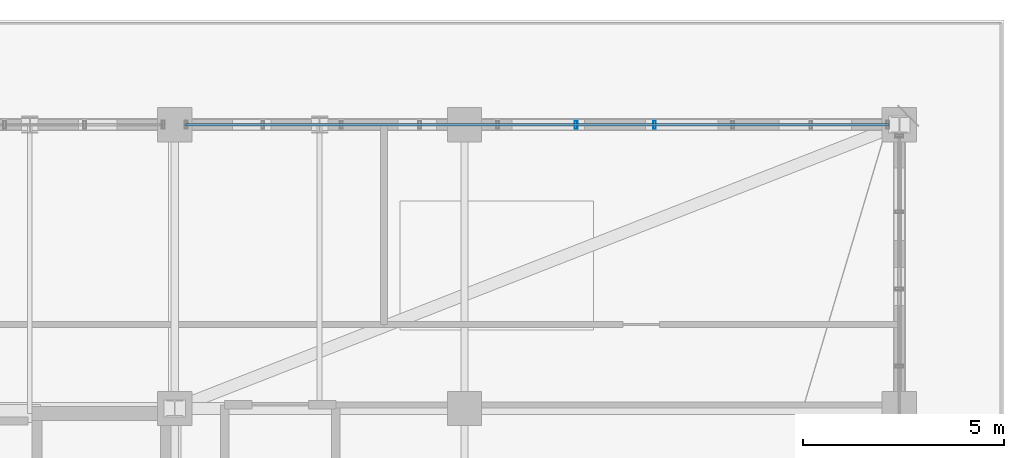
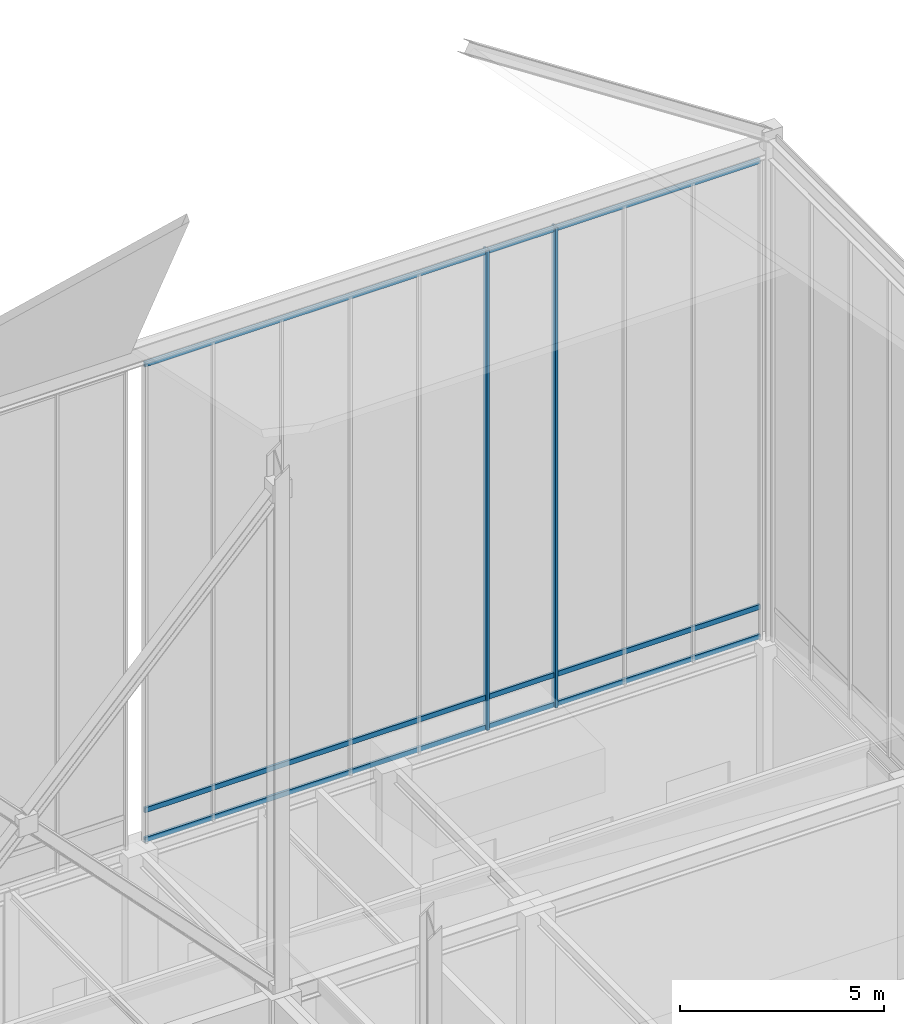
# One storey, part 39 of 49: 5 members, 1 element without a shape of its own.
"""IFC4 building model written with IfcOpenShell, lengths in metres."""

from ifc_helpers import new_model, si_unit, direction, frame, origin, origin_2d, place, context, subcontext, project, spatial, hollow_rectangle, extrude, source, transform, mapped, material, layer, layer_set, material_profile, profile_set, type_object, element, aggregate, save


model = new_model("IFC4")

# Units and contexts
model_context = context("Model", 3, precision=1e-05, world=origin(), true_north=direction((0.0, 1.0)))
body_context = subcontext(model_context, "Body", "Model", "MODEL_VIEW")
ifc_project = project(units=[si_unit("LENGTHUNIT", "METRE"), si_unit("AREAUNIT", "SQUARE_METRE"), si_unit("VOLUMEUNIT", "CUBIC_METRE"), si_unit("PLANEANGLEUNIT", "RADIAN"), si_unit("MASSUNIT", "GRAM", prefix="KILO")], contexts=[model_context])

# Site, building, storey
site_placement = place(None, origin())
site = spatial("IfcSite", under=ifc_project, at=site_placement, CompositionType="ELEMENT")
building_placement = place(site_placement, origin())
building = spatial("IfcBuilding", under=site, at=building_placement, Name="Kaliganga Portal Commons", CompositionType="ELEMENT")
storey_placement = place(building_placement, frame((0.0, 0.0, 298.0)))
storey = spatial("IfcBuildingStorey", under=building, at=storey_placement, Name="L77", CompositionType="ELEMENT", Elevation=298.0)

# Curtain wall, members
ifc_material_1 = material(Name="Anodized Aluminium and Laminated Low-E Glass", Category="aluminium")
ifc_layer = layer(ifc_material_1, 0.25)
ifc_layer_set = layer_set([ifc_layer], Name="Anodized Aluminium and Laminated Low-E Glass")
curtain_wall_type = type_object("IfcCurtainWallType", Name="CW-SYS-06", PredefinedType="NOTDEFINED", material=ifc_layer_set)
curtain_wall_placement = place(storey_placement, origin())
curtain_wall = element("IfcCurtainWall", 1, at=curtain_wall_placement, inside=storey, type_object=curtain_wall_type, Name="CW 06 L77 NE", PredefinedType="NOTDEFINED")
ifc_material_2 = material(Name="Dark Bronze Anodized Aluminium", Category="aluminium")
ifc_material_profile_1 = material_profile(ifc_material_2, hollow_rectangle(XDim=0.070068359375, YDim=0.199951171875, WallThickness=0.00390625, at=origin_2d()), Name="ALU MULL 70x200x4")
ifc_profile_set_1 = profile_set([ifc_material_profile_1], Name="Dark Bronze Anodized Aluminium")
member_type_1 = type_object("IfcMemberType", Name="CW-MUL-220", PredefinedType="MULLION", material=ifc_profile_set_1)
shared_shape_1 = source(origin(), body_context, "Body", "SweptSolid", [
    extrude(hollow_rectangle(XDim=0.070068359375, YDim=0.199951171875, WallThickness=0.00390625, at=origin_2d()), origin(), (0.0, 0.0, 1.0), 14.39990234375),
])
member_1_placement = place(storey_placement, frame((40.716796875, 43.199951171875, 6.0), z_axis=(0.0, 0.0, 1.0), x_axis=(-1.0, 0.0, 0.0)))
member_1 = element("IfcMember", 2, at=member_1_placement, type_object=member_type_1, Name="CW:06:L77:NE Mullion 03", PredefinedType="MULLION", context=body_context, shape_type="MappedRepresentation", body=[
    mapped(shared_shape_1, transform((0.0, 0.0, 0.0), x_axis=(1.0, 0.0, 0.0), y_axis=(0.0, 1.0, 0.0), z_axis=(0.0, 0.0, 1.0), scale=1.0)),
])
member_2_placement = place(storey_placement, frame((38.772216796875, 43.199951171875, 6.0), z_axis=(0.0, 0.0, 1.0), x_axis=(-1.0, 0.0, 0.0)))
member_2 = element("IfcMember", 3, at=member_2_placement, type_object=member_type_1, Name="CW:06:L77:NE Mullion 04", PredefinedType="MULLION", context=body_context, shape_type="MappedRepresentation", body=[
    mapped(shared_shape_1, transform((0.0, 0.0, 0.0), x_axis=(1.0, 0.0, 0.0), y_axis=(0.0, 1.0, 0.0), z_axis=(0.0, 0.0, 1.0), scale=1.0)),
])
ifc_material_profile_2 = material_profile(ifc_material_2, hollow_rectangle(XDim=0.070068359375, YDim=0.14990234375, WallThickness=0.00341796875, at=origin_2d()), Name="ALU TRAN 70x150x3.5")
ifc_profile_set_2 = profile_set([ifc_material_profile_2], Name="Dark Bronze Anodized Aluminium")
member_type_2 = type_object("IfcMemberType", Name="CW-TRN-150", PredefinedType="USERDEFINED", material=ifc_profile_set_2)
shared_shape_2 = source(origin(), body_context, "Body", "SweptSolid", [
    extrude(hollow_rectangle(XDim=0.070068359375, YDim=0.14990234375, WallThickness=0.00341796875, at=origin_2d()), origin(), (0.0, 0.0, 1.0), 17.4599609375),
])
member_3_placement = place(storey_placement, frame((46.530029296875, 43.199951171875, 6.06005859375), z_axis=(-1.0, 0.0, 0.0), x_axis=(0.0, -1.0, 0.0)))
member_3 = element("IfcMember", 4, at=member_3_placement, type_object=member_type_2, Name="CW:06:L77:NE Transom 1", ObjectType="TRANSOM", PredefinedType="USERDEFINED", context=body_context, shape_type="MappedRepresentation", body=[
    mapped(shared_shape_2, transform((0.0, 0.0, 0.0), x_axis=(1.0, 0.0, 0.0), y_axis=(0.0, 1.0, 0.0), z_axis=(0.0, 0.0, 1.0), scale=1.0)),
])
member_4_placement = place(storey_placement, frame((46.530029296875, 43.199951171875, 6.949951171875), z_axis=(-1.0, 0.0, 0.0), x_axis=(0.0, -1.0, 0.0)))
member_4 = element("IfcMember", 5, at=member_4_placement, type_object=member_type_2, Name="CW:06:L77:NE Transom 2", ObjectType="TRANSOM", PredefinedType="USERDEFINED", context=body_context, shape_type="MappedRepresentation", body=[
    mapped(shared_shape_2, transform((0.0, 0.0, 0.0), x_axis=(1.0, 0.0, 0.0), y_axis=(0.0, 1.0, 0.0), z_axis=(0.0, 0.0, 1.0), scale=1.0)),
])
member_5_placement = place(storey_placement, frame((46.530029296875, 43.199951171875, 20.320068359375), z_axis=(-1.0, 0.0, 0.0), x_axis=(0.0, -1.0, 0.0)))
member_5 = element("IfcMember", 6, at=member_5_placement, type_object=member_type_2, Name="CW:06:L77:NE Transom 3", ObjectType="TRANSOM", PredefinedType="USERDEFINED", context=body_context, shape_type="MappedRepresentation", body=[
    mapped(shared_shape_2, transform((0.0, 0.0, 0.0), x_axis=(1.0, 0.0, 0.0), y_axis=(0.0, 1.0, 0.0), z_axis=(0.0, 0.0, 1.0), scale=1.0)),
])
aggregate(curtain_wall, [member_1, member_2, member_3, member_4, member_5])

save(model, "model.ifc")
